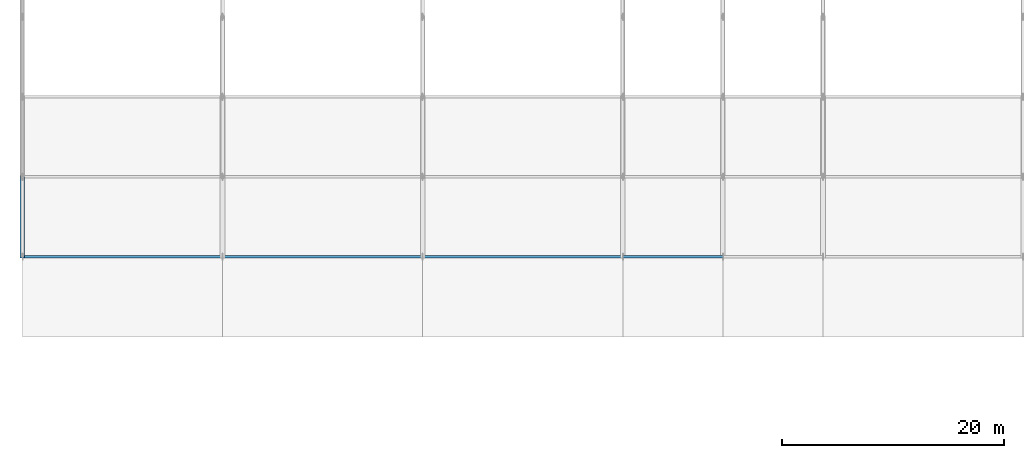
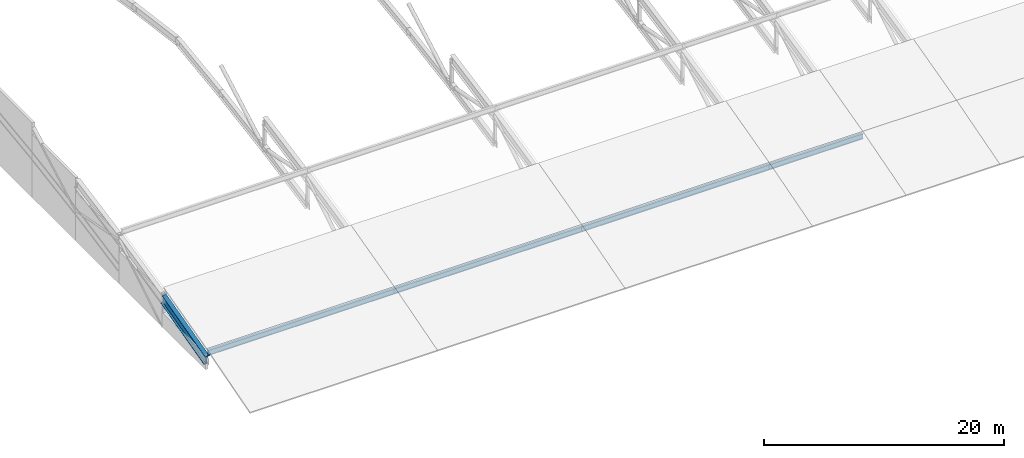
# One storey, part 12 of 124: 5 members.
"""IFC4 building model written with IfcOpenShell, lengths in metres."""

from ifc_helpers import new_model, si_unit, direction, frame, origin, origin_2d, place, context, subcontext, project, spatial, i_section, extrude, material, material_profile, profile_set, type_object, element, save


model = new_model("IFC4")

# Units and contexts
model_context = context("Model", 3, precision=1e-05, world=origin(), true_north=direction((0.0, 1.0)))
body_context = subcontext(model_context, "Body", "Model", "MODEL_VIEW")
ifc_project = project(units=[si_unit("LENGTHUNIT", "METRE"), si_unit("AREAUNIT", "SQUARE_METRE"), si_unit("VOLUMEUNIT", "CUBIC_METRE"), si_unit("PLANEANGLEUNIT", "RADIAN"), si_unit("MASSUNIT", "GRAM", prefix="KILO")], contexts=[model_context])

# Site, building, storey
site_placement = place(None, origin())
site = spatial("IfcSite", under=ifc_project, at=site_placement, CompositionType="ELEMENT")
building_placement = place(site_placement, origin())
building = spatial("IfcBuilding", under=site, at=building_placement, Name="Celestram Park Convention Centre", CompositionType="ELEMENT")
storey_placement = place(building_placement, frame((0.0, 0.0, 15.300048828125)))
storey = spatial("IfcBuildingStorey", under=building, at=storey_placement, Name="L03", CompositionType="ELEMENT", Elevation=15.300048828125)

# Members
ifc_material = material(Name="Steel ASTM A992 Grade 50", Category="steel")
ifc_material_profile_1 = material_profile(ifc_material, i_section(OverallWidth=0.4189453125, OverallDepth=0.927001953125, WebThickness=0.019287109375, FlangeThickness=0.031982421875, at=origin_2d()), Name="W36X231")
ifc_profile_set_1 = profile_set([ifc_material_profile_1], Name="Steel ASTM A992 Grade 50")
member_type_1 = type_object("IfcMemberType", Name="STR-CHD-W36X231", PredefinedType="CHORD", material=ifc_profile_set_1)
member_1_placement = place(storey_placement, frame((0.0, 28.800048828125, 0.036865234375), z_axis=(0.0, 0.967619711376, 0.252412547544), x_axis=(-1.0, 0.0, 0.0)))
element("IfcMember", 1, at=member_1_placement, inside=storey, type_object=member_type_1, Name="V1 arch top chord", PredefinedType="CHORD", context=body_context, shape_type="SweptSolid", body=[
    extrude(i_section(OverallWidth=0.4189453125, OverallDepth=0.927001953125, WebThickness=0.019287109375, FlangeThickness=0.031982421875, at=origin_2d()), origin(), (0.0, 0.0, 1.0), 7.44091796875),
])
ifc_material_profile_2 = material_profile(ifc_material, i_section(OverallWidth=0.2099609375, OverallDepth=0.532958984375, WebThickness=0.01025390625, FlangeThickness=0.015625, at=origin_2d()), Name="W21X62")
ifc_profile_set_2 = profile_set([ifc_material_profile_2], Name="Steel ASTM A992 Grade 50")
member_type_2 = type_object("IfcMemberType", Name="STR-RFT-W21X62", PredefinedType="RAFTER", material=ifc_profile_set_2)
member_2_placement = place(storey_placement, frame((0.080078125, 28.800048828125, 0.766845703125), z_axis=(1.0, 0.0, 0.0), x_axis=(0.0, 1.0, 0.0)))
element("IfcMember", 2, at=member_2_placement, inside=storey, type_object=member_type_2, Name="V1 roof purlin", PredefinedType="RAFTER", context=body_context, shape_type="SweptSolid", body=[
    extrude(i_section(OverallWidth=0.2099609375, OverallDepth=0.532958984375, WebThickness=0.01025390625, FlangeThickness=0.015625, at=origin_2d()), origin(), (0.0, 0.0, 1.0), 17.919921875),
])
for number, where, z_axis, x_axis, name in (
    (3, (18.0, 28.800048828125, 0.766845703125), (1.0, 0.0, 0.0), (0.0, 1.0, 0.0), "V1 roof purlin"),
    (4, (36.0, 28.800048828125, 0.766845703125), (1.0, 0.0, 0.0), (0.0, 1.0, 0.0), "V1 roof purlin"),
):
    element("IfcMember", number, at=place(storey_placement, frame(where, z_axis=z_axis, x_axis=x_axis)), inside=storey, type_object=member_type_2, Name=name, PredefinedType="RAFTER", context=body_context, shape_type="SweptSolid", body=[
        extrude(i_section(OverallWidth=0.2099609375, OverallDepth=0.532958984375, WebThickness=0.01025390625, FlangeThickness=0.015625, at=origin_2d()), origin(), (0.0, 0.0, 1.0), 18.0),
    ])
member_3_placement = place(storey_placement, frame((54.0, 28.800048828125, 0.766845703125), z_axis=(1.0, 0.0, 0.0), x_axis=(0.0, 1.0, 0.0)))
element("IfcMember", 5, at=member_3_placement, inside=storey, type_object=member_type_2, Name="V1 roof purlin", PredefinedType="RAFTER", context=body_context, shape_type="SweptSolid", body=[
    extrude(i_section(OverallWidth=0.2099609375, OverallDepth=0.532958984375, WebThickness=0.01025390625, FlangeThickness=0.015625, at=origin_2d()), origin(), (0.0, 0.0, 1.0), 9.0),
])

save(model, "model.ifc")
